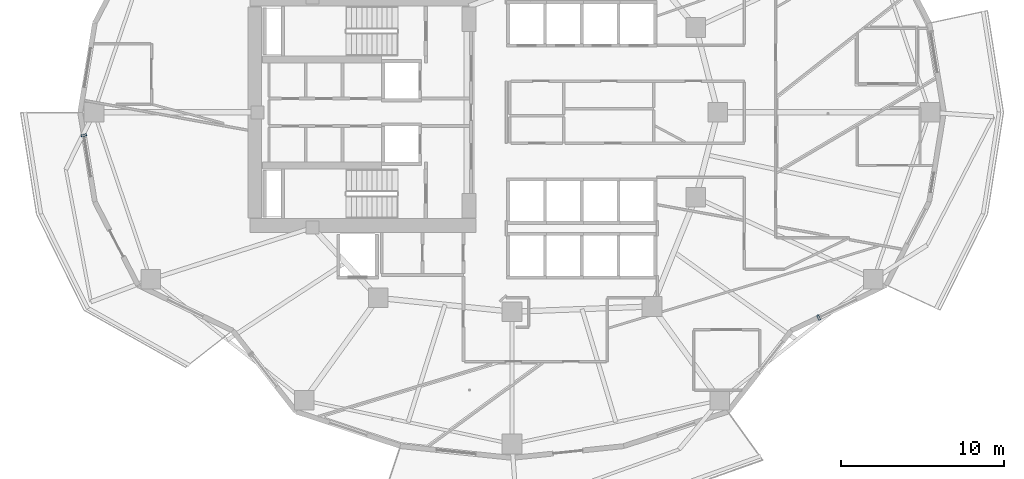
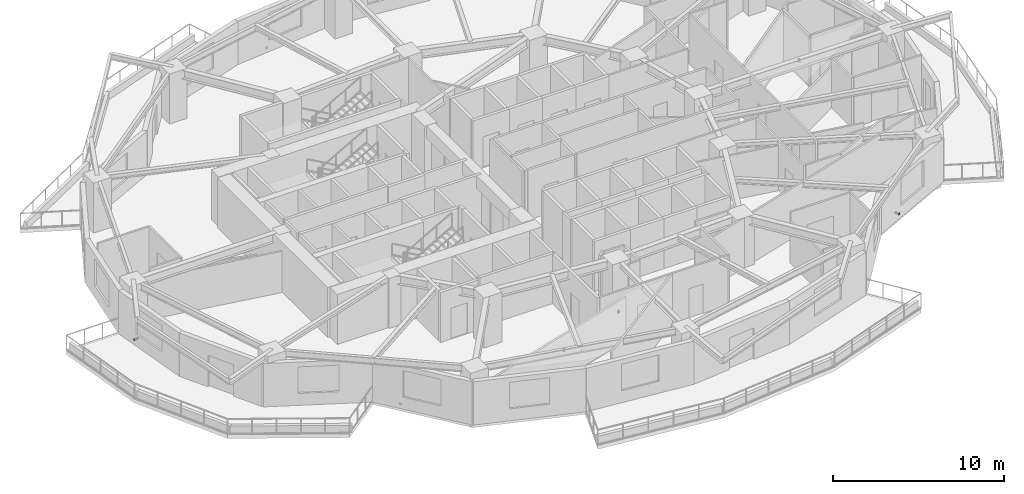
# One storey, part 9 of 16: 2 discrete accessories.
"""IFC4 building model written with IfcOpenShell, lengths in metres."""

import ifcopenshell
import ifcopenshell.guid

model = None  # the IFC model being written
_history = None  # IfcOwnerHistory: only IFC2X3 demands one
_inside = {}  # id of a spatial element -> (the spatial element, [elements in it])
_under = {}  # id of a project, library or spatial element -> (it, [spatial elements below it])
_declared = {}  # id of a project -> (the project, [libraries it declares])
_typed = {}  # id of a type object -> (the type object, [elements of that type])
_made_of = {}  # id of a material, layer set ... -> (it, [elements and type objects made of it])


def new_model(schema):
    """Start an empty IFC model of exactly this schema.

    Asked for "IFC4X3", IfcOpenShell would pick the latest addendum, in which some entities
    have other attributes; the version numbers below select the first issue.
    IFC2X3 requires an IfcOwnerHistory on every rooted entity: one is made here for all.
    """
    global model, _history
    if schema == "IFC4X3":
        model = ifcopenshell.file(schema_version=(4, 3, 0, 0))
    else:
        model = ifcopenshell.file(schema=schema)
    _inside.clear()
    _under.clear()
    _declared.clear()
    _typed.clear()
    _made_of.clear()
    _history = None
    if model.schema == "IFC2X3":
        org = make("IfcOrganization", Name="unknown")
        user = make(
            "IfcPersonAndOrganization",
            ThePerson=make("IfcPerson", FamilyName="unknown"),
            TheOrganization=org,
        )
        app = make(
            "IfcApplication",
            ApplicationDeveloper=org,
            Version="unknown",
            ApplicationFullName="unknown",
            ApplicationIdentifier="unknown",
        )
        _history = make(
            "IfcOwnerHistory",
            OwningUser=user,
            OwningApplication=app,
            ChangeAction="ADDED",
            CreationDate=0,
        )
    return model


def make(cls, **values):
    """One entity of the class cls with the attributes given. An attribute that is None is left unset."""
    return model.create_entity(
        cls, **{name: value for name, value in values.items() if value is not None}
    )


def rooted(cls, **values):
    """An entity with a GlobalId (a new one), such as an element, a storey or a relation."""
    return make(cls, GlobalId=ifcopenshell.guid.new(), OwnerHistory=_history, **values)


def si_unit(unit_type, name, prefix=None):
    """IfcSIUnit, for example si_unit("LENGTHUNIT", "METRE", prefix="MILLI")."""
    return make("IfcSIUnit", UnitType=unit_type, Prefix=prefix, Name=name)


def assignment(units):
    """IfcUnitAssignment: the units of a project."""
    return None if units is None else make("IfcUnitAssignment", Units=units)


def point(xyz):
    """IfcCartesianPoint."""
    return None if xyz is None else make("IfcCartesianPoint", Coordinates=xyz)


def direction(xyz):
    """IfcDirection."""
    return None if xyz is None else make("IfcDirection", DirectionRatios=xyz)


def frame(location, z_axis=None, x_axis=None):
    """IfcAxis2Placement3D, a coordinate frame: its origin and axes. An axis left out is left unset."""
    return make(
        "IfcAxis2Placement3D",
        Location=point(location),
        Axis=direction(z_axis),
        RefDirection=direction(x_axis),
    )


def frame_2d(location, x_axis=None):
    """IfcAxis2Placement2D, a coordinate frame in the plane: its origin and x axis."""
    return make(
        "IfcAxis2Placement2D", Location=point(location), RefDirection=direction(x_axis)
    )


def origin():
    """The frame at (0, 0, 0) with its axes left unset."""
    return frame((0.0, 0.0, 0.0))


def origin_2d():
    """The frame at (0, 0) in the plane with its x axis left unset."""
    return frame_2d((0.0, 0.0))


def place(relative_to, where):
    """IfcLocalPlacement: puts the frame where relative to a parent placement (None: the world)."""
    return make(
        "IfcLocalPlacement", PlacementRelTo=relative_to, RelativePlacement=where
    )


def context(
    kind, dimensions, precision=None, world=None, true_north=None, identifier=None
):
    """IfcGeometricRepresentationContext, for example the 3D "Model" context."""
    return make(
        "IfcGeometricRepresentationContext",
        ContextIdentifier=identifier,
        ContextType=kind,
        CoordinateSpaceDimension=dimensions,
        Precision=precision,
        WorldCoordinateSystem=world,
        TrueNorth=true_north,
    )


def subcontext(parent, identifier, kind, view, scale=None):
    """IfcGeometricRepresentationSubContext, for example "Body" below "Model"."""
    return make(
        "IfcGeometricRepresentationSubContext",
        ContextIdentifier=identifier,
        ContextType=kind,
        ParentContext=parent,
        TargetScale=scale,
        TargetView=view,
    )


def project(units=None, contexts=None):
    """IfcProject with its units and contexts."""
    return rooted(
        "IfcProject",
        Name="project",
        RepresentationContexts=contexts,
        UnitsInContext=assignment(units),
    )


def spatial(cls, under=None, at=None, **own):
    """A site, building, storey or space (cls), placed at a placement, below another one or the project."""
    s = rooted(cls, ObjectPlacement=at, **own)
    if under is not None:
        _under.setdefault(under.id(), (under, []))[1].append(s)
    return s


def profile(cls, at=None, kind="AREA", **sizes):
    """A parametric profile (cls). Its sizes go by their IFC names, for example OverallWidth=200.0."""
    return make(cls, ProfileType=kind, Position=at, **sizes)


def rectangle(**sizes):
    """IfcRectangleProfileDef."""
    return profile("IfcRectangleProfileDef", **sizes)


def extrude(swept, where, along, depth):
    """IfcExtrudedAreaSolid: the profile swept, set in the frame where, extruded along a direction by depth."""
    return make(
        "IfcExtrudedAreaSolid",
        SweptArea=swept,
        Position=where,
        ExtrudedDirection=direction(along),
        Depth=depth,
    )


def shape(context_of_items, identifier, shape_type, items):
    """IfcShapeRepresentation: the items that make up one representation, for example the "Body"."""
    return make(
        "IfcShapeRepresentation",
        ContextOfItems=context_of_items,
        RepresentationIdentifier=identifier,
        RepresentationType=shape_type,
        Items=items,
    )


def material(Name=None, Category=None):
    """IfcMaterial."""
    return make("IfcMaterial", Name=Name, Category=Category)


def made_of(thing, what):
    """Note that an element or type object is made of a material, layer set ...; save() writes the relation."""
    if what is not None:
        _made_of.setdefault(what.id(), (what, []))[1].append(thing)
    return thing


def type_object(cls, material=None, **own):
    """A type object (cls), such as IfcWallType, which elements share."""
    return made_of(rooted(cls, **own), material)


def element(
    cls,
    number,
    at=None,
    inside=None,
    cuts=None,
    type_object=None,
    material=None,
    context=None,
    identifier="Body",
    shape_type=None,
    held_by="IfcProductDefinitionShape",
    body=None,
    shapes=None,
    **own,
):
    """One element of the class cls, such as IfcWall. Its Tag is "e" and its number.

    at: its placement. inside: the storey or other place that contains it. cuts: it is an
    opening in that element (IfcRelVoidsElement). A single representation is given by context,
    identifier, shape_type and body (its items); several are given by shapes. held_by: the class
    of the entity that holds the representations. save() writes the other relations.
    """
    e = rooted(cls, Tag="e%d" % number, ObjectPlacement=at, **own)
    if body is not None:
        shapes = [shape(context, identifier, shape_type, body)]
    if shapes is not None:
        e.Representation = make(held_by, Representations=shapes)
    if inside is not None:
        _inside.setdefault(inside.id(), (inside, []))[1].append(e)
    if cuts is not None:
        rooted(
            "IfcRelVoidsElement", RelatingBuildingElement=cuts, RelatedOpeningElement=e
        )
    if type_object is not None:
        _typed.setdefault(type_object.id(), (type_object, []))[1].append(e)
    return made_of(e, material)


def aggregate(whole, parts):
    """IfcRelAggregates: a whole, such as a stair, and the parts it consists of."""
    return rooted("IfcRelAggregates", RelatingObject=whole, RelatedObjects=parts)


def save(model, path):
    """Write the relations noted so far, then the file.

    IfcRelAggregates (storeys below a building ...), IfcRelContainedInSpatialStructure (elements
    in a storey), IfcRelDefinesByType, IfcRelAssociatesMaterial and IfcRelDeclares: one each for
    every whole, place, type object, material and project.
    """
    for whole, parts in _under.values():
        aggregate(whole, parts)
    for where, things in _inside.values():
        rooted(
            "IfcRelContainedInSpatialStructure",
            RelatedElements=things,
            RelatingStructure=where,
        )
    for kind, things in _typed.values():
        rooted("IfcRelDefinesByType", RelatedObjects=things, RelatingType=kind)
    for what, things in _made_of.values():
        rooted("IfcRelAssociatesMaterial", RelatedObjects=things, RelatingMaterial=what)
    for by, libraries in _declared.values():
        rooted("IfcRelDeclares", RelatingContext=by, RelatedDefinitions=libraries)
    model.write(path)


model = new_model("IFC4")

# Units and contexts
model_context = context("Model", 3, precision=1e-05, world=origin(), true_north=direction((0.0, 1.0)))
body_context = subcontext(model_context, "Body", "Model", "MODEL_VIEW")
ifc_project = project(units=[si_unit("LENGTHUNIT", "METRE"), si_unit("AREAUNIT", "SQUARE_METRE"), si_unit("VOLUMEUNIT", "CUBIC_METRE"), si_unit("PLANEANGLEUNIT", "RADIAN"), si_unit("MASSUNIT", "GRAM", prefix="KILO")], contexts=[model_context])

# Site, building, storey
site_placement = place(None, origin())
site = spatial("IfcSite", under=ifc_project, at=site_placement, CompositionType="ELEMENT")
building_placement = place(site_placement, origin())
building = spatial("IfcBuilding", under=site, at=building_placement, Name="Kolvaren Gate Tower and Convention Centre", CompositionType="ELEMENT")
storey_placement = place(building_placement, frame((0.0, 0.0, 65.0)))
storey = spatial("IfcBuildingStorey", under=building, at=storey_placement, Name="L15", CompositionType="ELEMENT", Elevation=65.0)

# Discrete accessories
ifc_material = material(Name="Anodized Architectural Aluminium Alloy 6063-T6", Category="aluminium")
discrete_accessory_type = type_object("IfcDiscreteAccessoryType", Name="ARCH-ACC-BRACKET-120", PredefinedType="BRACKET", material=ifc_material)
for number, where, z_axis, x_axis, name in (
    (1, (3.9169921875, 25.604736328125, 0.2900390625), (0.0, 0.0, 1.0), (0.162375401515, -0.986729055508, 0.0), "Ceramic Fin Wall Anchor Bracket FBK-L15-12"),
    (2, (48.89599609375, 14.443359375, 0.2900390625), (0.0, 0.0, 1.0), (0.901357634097, 0.433075530889, 0.0), "Ceramic Fin Wall Anchor Bracket FBK-L15-21"),
):
    element("IfcDiscreteAccessory", number, at=place(storey_placement, frame(where, z_axis=z_axis, x_axis=x_axis)), inside=storey, type_object=discrete_accessory_type, Name=name, PredefinedType="BRACKET", context=body_context, shape_type="SweptSolid", body=[
        extrude(rectangle(XDim=0.1201171875, YDim=0.320068359375, at=origin_2d()), origin(), (0.0, 0.0, 1.0), 0.1201171875),
    ])

save(model, "model.ifc")
